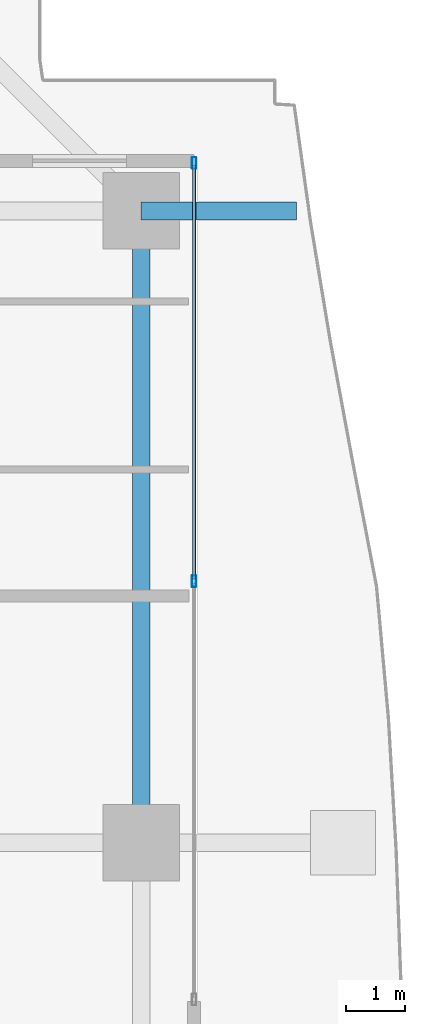
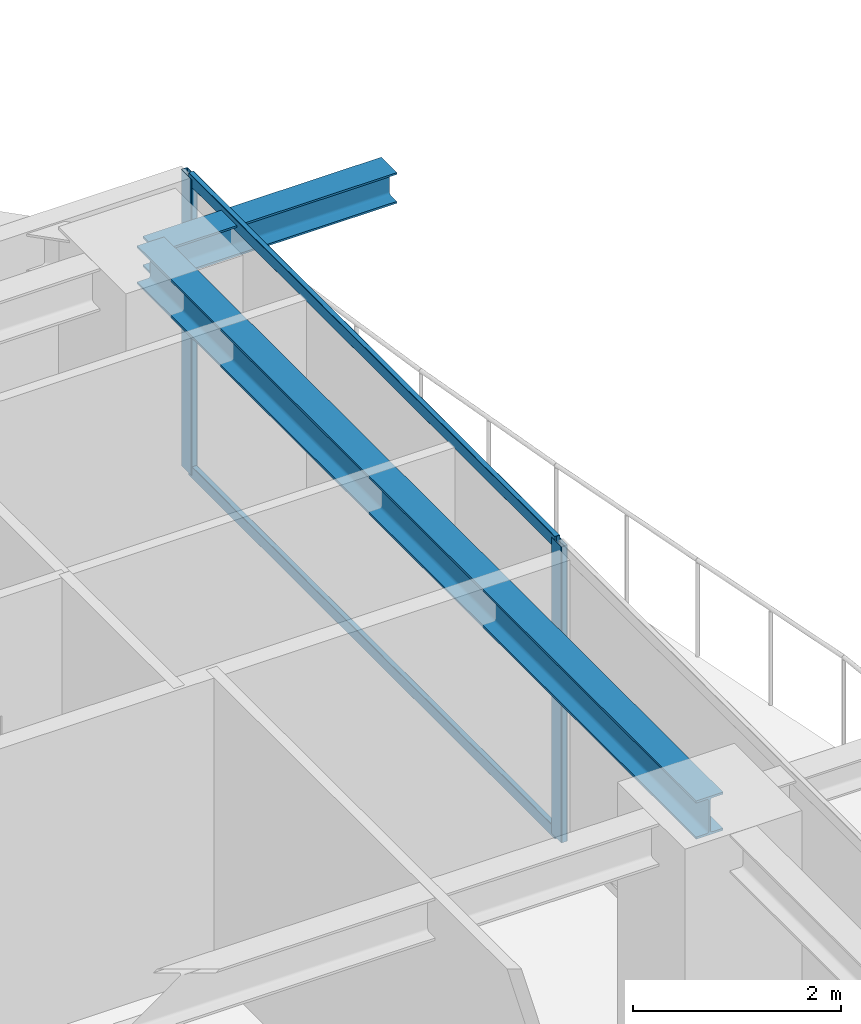
# One storey, part 24 of 38: 4 members, 2 beams, 1 element without a shape of its own.
"""IFC4 building model written with IfcOpenShell, lengths in metres."""

from ifc_helpers import new_model, si_unit, direction, frame, origin, origin_2d, place, context, subcontext, project, spatial, hollow_rectangle, i_section, extrude, source, transform, mapped, material, layer, layer_set, material_profile, profile_set, type_object, element, aggregate, save


model = new_model("IFC4")

# Units and contexts
model_context = context("Model", 3, precision=1e-05, world=origin(), true_north=direction((0.0, 1.0)))
body_context = subcontext(model_context, "Body", "Model", "MODEL_VIEW")
ifc_project = project(units=[si_unit("LENGTHUNIT", "METRE"), si_unit("AREAUNIT", "SQUARE_METRE"), si_unit("VOLUMEUNIT", "CUBIC_METRE"), si_unit("PLANEANGLEUNIT", "RADIAN"), si_unit("MASSUNIT", "GRAM", prefix="KILO")], contexts=[model_context])

# Site, building, storey
site_placement = place(None, origin())
site = spatial("IfcSite", under=ifc_project, at=site_placement, CompositionType="ELEMENT")
building_placement = place(site_placement, origin())
building = spatial("IfcBuilding", under=site, at=building_placement, Name="Serunith Strait Residences", CompositionType="ELEMENT")
storey_placement = place(building_placement, frame((0.0, 0.0, 176.39990234375)))
storey = spatial("IfcBuildingStorey", under=building, at=storey_placement, Name="L44", CompositionType="ELEMENT", Elevation=176.39990234375)

# Beams
ifc_material_1 = material(Name="Steel S355J2", Category="steel")
ifc_material_profile_1 = material_profile(ifc_material_1, i_section(OverallWidth=0.300048828125, OverallDepth=0.449951171875, WebThickness=0.013916015625, FlangeThickness=0.02587890625, FilletRadius=0.027099609375, at=origin_2d()), Name="HEB 450")
ifc_profile_set_1 = profile_set([ifc_material_profile_1], Name="Steel S355J2")
beam_type_1 = type_object("IfcBeamType", Name="BM-HEB450", PredefinedType="BEAM", material=ifc_profile_set_1)
shared_shape_1 = source(origin(), body_context, "Body", "SweptSolid", [
    extrude(i_section(OverallWidth=0.300048828125, OverallDepth=0.449951171875, WebThickness=0.013916015625, FlangeThickness=0.02587890625, FilletRadius=0.027099609375, at=origin_2d()), origin(), (0.0, 0.0, 1.0), 10.75),
])
beam_1_placement = place(storey_placement, frame((56.10009765625, 29.39990234375, 3.26220703125), z_axis=(0.0, 1.0, 0.0), x_axis=(-1.0, 0.0, 0.0)))
element("IfcBeam", 1, at=beam_1_placement, inside=storey, type_object=beam_type_1, Name="L44 Perimeter Ring Beam 07", PredefinedType="BEAM", context=body_context, shape_type="MappedRepresentation", body=[
    mapped(shared_shape_1, transform((0.0, 0.0, 0.0), scale=1.0)),
])
ifc_material_profile_2 = material_profile(ifc_material_1, i_section(OverallWidth=0.300048828125, OverallDepth=0.360107421875, WebThickness=0.012451171875, FlangeThickness=0.0224609375, FilletRadius=0.027099609375, at=origin_2d()), Name="HEB 360")
ifc_profile_set_2 = profile_set([ifc_material_profile_2], Name="Steel S355J2")
beam_type_2 = type_object("IfcBeamType", Name="BM-HEB360", PredefinedType="BEAM", material=ifc_profile_set_2)
shared_shape_2 = source(origin(), body_context, "Body", "SweptSolid", [
    extrude(i_section(OverallWidth=0.300048828125, OverallDepth=0.360107421875, WebThickness=0.012451171875, FlangeThickness=0.0224609375, FilletRadius=0.027099609375, at=origin_2d()), origin(), (0.0, 0.0, 1.0), 2.646484375),
])
beam_2_placement = place(storey_placement, frame((56.10009765625, 40.14990234375, 3.277099609375), z_axis=(1.0, 0.0, 0.0), x_axis=(0.0, 1.0, 0.0)))
element("IfcBeam", 2, at=beam_2_placement, inside=storey, type_object=beam_type_2, Name="L45 Cantilevered Balcony Rib TC-E4", PredefinedType="BEAM", context=body_context, shape_type="MappedRepresentation", body=[
    mapped(shared_shape_2, transform((0.0, 0.0, 0.0), scale=1.0)),
])

# Curtain wall, members
ifc_material_2 = material(Name="Pale-Champagne Anodised Aluminium", Category="aluminium")
ifc_layer = layer(ifc_material_2, 0.199951171875, Name="Pale-Champagne Anodised Aluminium")
ifc_layer_set = layer_set([ifc_layer], Name="Pale-Champagne Anodised Aluminium")
curtain_wall_type = type_object("IfcCurtainWallType", Name="CW-SYS2", PredefinedType="NOTDEFINED", material=ifc_layer_set)
curtain_wall_placement = place(storey_placement, origin())
curtain_wall = element("IfcCurtainWall", 3, at=curtain_wall_placement, inside=storey, type_object=curtain_wall_type, Name="L44 E Unitised Fritted Curtain Wall", PredefinedType="NOTDEFINED")
ifc_material_profile_3 = material_profile(ifc_material_2, hollow_rectangle(XDim=0.070068359375, YDim=0.199951171875, WallThickness=0.00390625, InnerFilletRadius=0.006103515625, OuterFilletRadius=0.010009765625, at=origin_2d()), Name="ALU 200x70x4")
ifc_profile_set_3 = profile_set([ifc_material_profile_3], Name="Pale-Champagne Anodised Aluminium")
member_type_1 = type_object("IfcMemberType", Name="CW-SYS2-MULL", PredefinedType="MULLION", material=ifc_profile_set_3)
shared_shape_3 = source(origin(), body_context, "Body", "SweptSolid", [
    extrude(hollow_rectangle(XDim=0.070068359375, YDim=0.199951171875, WallThickness=0.00390625, InnerFilletRadius=0.006103515625, OuterFilletRadius=0.010009765625, at=origin_2d()), origin(), (0.0, 0.0, 1.0), 3.47509765625),
])
member_1_placement = place(storey_placement, frame((57.0, 33.85009765625, 0.0), z_axis=(0.0, 0.0, 1.0), x_axis=(-1.0, 0.0, 0.0)))
member_1 = element("IfcMember", 4, at=member_1_placement, type_object=member_type_1, Name="CW-2 mullion 2", PredefinedType="MULLION", context=body_context, shape_type="MappedRepresentation", body=[
    mapped(shared_shape_3, transform((0.0, 0.0, 0.0), scale=1.0)),
])
member_2_placement = place(storey_placement, frame((57.0, 40.965087890625, 0.0), z_axis=(0.0, 0.0, 1.0), x_axis=(-1.0, 0.0, 0.0)))
member_2 = element("IfcMember", 5, at=member_2_placement, type_object=member_type_1, Name="CW-2 mullion 3", PredefinedType="MULLION", context=body_context, shape_type="MappedRepresentation", body=[
    mapped(shared_shape_3, transform((0.0, 0.0, 0.0), scale=1.0)),
])
ifc_material_profile_4 = material_profile(ifc_material_2, hollow_rectangle(XDim=0.06005859375, YDim=0.139892578125, WallThickness=0.00341796875, InnerFilletRadius=0.00537109375, OuterFilletRadius=0.0087890625, at=origin_2d()), Name="ALU 140x60x3.5")
ifc_profile_set_4 = profile_set([ifc_material_profile_4], Name="Pale-Champagne Anodised Aluminium")
member_type_2 = type_object("IfcMemberType", Name="CW-SYS2-TRAN", PredefinedType="USERDEFINED", material=ifc_profile_set_4)
shared_shape_4 = source(origin(), body_context, "Body", "SweptSolid", [
    extrude(hollow_rectangle(XDim=0.06005859375, YDim=0.139892578125, WallThickness=0.00341796875, InnerFilletRadius=0.00537109375, OuterFilletRadius=0.0087890625, at=origin_2d()), origin(), (0.0, 0.0, 1.0), 7.044921875),
])
member_3_placement = place(storey_placement, frame((57.0, 33.885009765625, 0.030029296875), z_axis=(0.0, 1.0, 0.0), x_axis=(-1.0, 0.0, 0.0)))
member_3 = element("IfcMember", 6, at=member_3_placement, type_object=member_type_2, Name="CW-2 transom 2.1", ObjectType="TRANSOM", PredefinedType="USERDEFINED", context=body_context, shape_type="MappedRepresentation", body=[
    mapped(shared_shape_4, transform((0.0, 0.0, 0.0), scale=1.0)),
])
member_4_placement = place(storey_placement, frame((57.0, 33.885009765625, 3.445068359375), z_axis=(0.0, 1.0, 0.0), x_axis=(-1.0, 0.0, 0.0)))
member_4 = element("IfcMember", 7, at=member_4_placement, type_object=member_type_2, Name="CW-2 transom 2.2", ObjectType="TRANSOM", PredefinedType="USERDEFINED", context=body_context, shape_type="MappedRepresentation", body=[
    mapped(shared_shape_4, transform((0.0, 0.0, 0.0), scale=1.0)),
])
aggregate(curtain_wall, [member_1, member_2, member_3, member_4])

save(model, "model.ifc")
